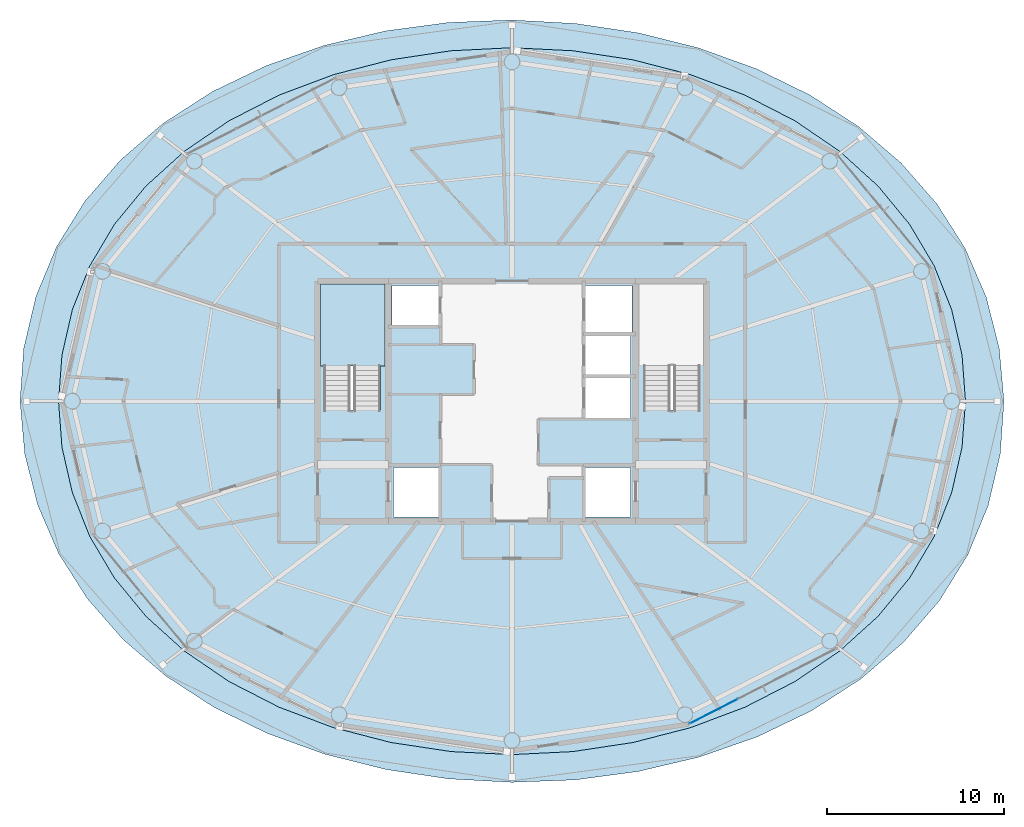
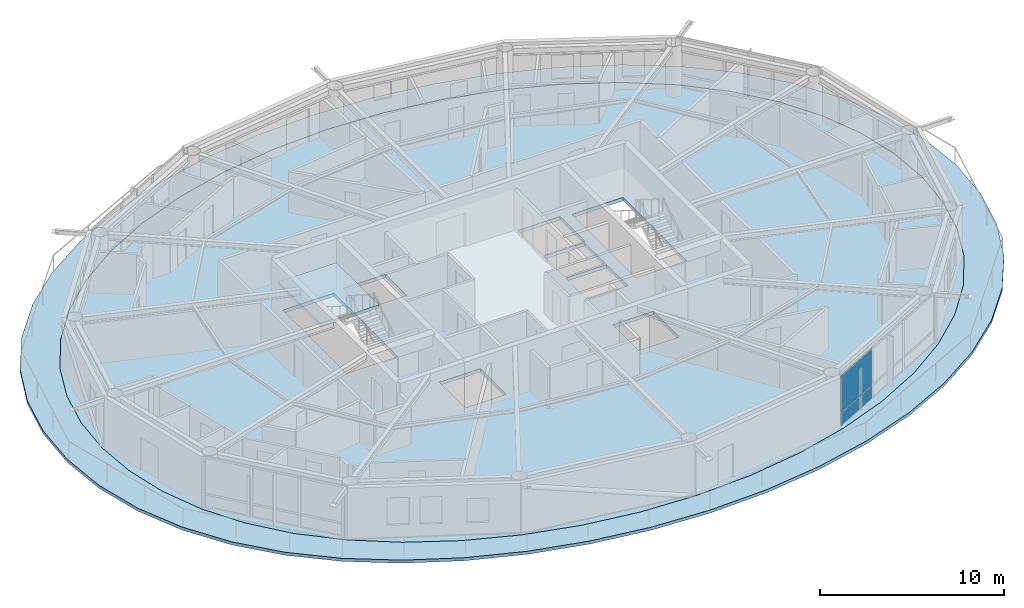
# One storey, part 13 of 22: 3 slabs, 2 plates, 2 elements without a shape of their own.
"""IFC4 building model written with IfcOpenShell, lengths in metres."""

from ifc_helpers import new_model, si_unit, direction, frame, origin, origin_2d, place, context, subcontext, project, spatial, polyline, rectangle, outline, extrude, material, layer, layer_set, type_object, element, aggregate, save


model = new_model("IFC4")

# Units and contexts
model_context = context("Model", 3, precision=1e-05, world=origin(), true_north=direction((0.0, 1.0)))
body_context = subcontext(model_context, "Body", "Model", "MODEL_VIEW")
ifc_project = project(units=[si_unit("LENGTHUNIT", "METRE"), si_unit("AREAUNIT", "SQUARE_METRE"), si_unit("VOLUMEUNIT", "CUBIC_METRE"), si_unit("PLANEANGLEUNIT", "RADIAN"), si_unit("MASSUNIT", "GRAM", prefix="KILO")], contexts=[model_context])

# Site, building, storey
site_placement = place(None, origin())
site = spatial("IfcSite", under=ifc_project, at=site_placement, CompositionType="ELEMENT")
building_placement = place(site_placement, origin())
building = spatial("IfcBuilding", under=site, at=building_placement, Name="Sarneth Arch Tower", CompositionType="ELEMENT")
storey_placement = place(building_placement, frame((0.0, 0.0, 291.0)))
storey = spatial("IfcBuildingStorey", under=building, at=storey_placement, Name="L75", CompositionType="ELEMENT", Elevation=291.0)

# Curtain wall, plates
ifc_material_1 = material(Name="Anodised aluminium Type AA25 and solar-control low-e laminated IGU", Category="aluminium")
ifc_layer_1 = layer(ifc_material_1, 0.179931640625)
ifc_layer_set_1 = layer_set([ifc_layer_1], Name="Anodised aluminium Type AA25 and solar-control low-e laminated IGU")
curtain_wall_type = type_object("IfcCurtainWallType", Name="CW-RES-HIGH", PredefinedType="NOTDEFINED", material=ifc_layer_set_1)
curtain_wall_placement = place(storey_placement, origin())
curtain_wall = element("IfcCurtainWall", 1, at=curtain_wall_placement, inside=storey, type_object=curtain_wall_type, Name="L75 Unitised curtain wall facet 14", PredefinedType="NOTDEFINED")
ifc_material_2 = material(Name="Solar-control low-e laminated IGU", Category="glass")
ifc_layer_2 = layer(ifc_material_2, 0.028076171875)
ifc_layer_set_2 = layer_set([ifc_layer_2], Name="Solar-control low-e laminated IGU")
plate_type = type_object("IfcPlateType", Name="CW-PANEL", PredefinedType="CURTAIN_PANEL", material=ifc_layer_set_2)
plate_1_placement = place(storey_placement, frame((59.4208984375, 24.447021484375, 0.06005859375), z_axis=(0.0, 0.0, 1.0), x_axis=(0.890009540525, 0.455941901753, 0.0)))
plate_1 = element("IfcPlate", 2, at=plate_1_placement, type_object=plate_type, Name="Curtain wall glazed vision pane CW-L75-F14/P00-00", PredefinedType="CURTAIN_PANEL", context=body_context, shape_type="SweptSolid", body=[
    extrude(rectangle(XDim=3.044677734375, YDim=0.028076171875, at=origin_2d()), origin(), (0.0, 0.0, 1.0), 0.81005859375),
])
plate_2_placement = place(storey_placement, frame((59.4208984375, 24.447021484375, 0.93017578125), z_axis=(0.0, 0.0, 1.0), x_axis=(0.890009540525, 0.455941901753, 0.0)))
plate_2 = element("IfcPlate", 3, at=plate_2_placement, type_object=plate_type, Name="Curtain wall glazed vision pane CW-L75-F14/P00-01", PredefinedType="CURTAIN_PANEL", context=body_context, shape_type="SweptSolid", body=[
    extrude(rectangle(XDim=3.044677734375, YDim=0.028076171875, at=origin_2d()), origin(), (0.0, 0.0, 1.0), 2.3798828125),
])
aggregate(curtain_wall, [plate_1, plate_2])

# Slab
ifc_material_3 = material(Name="Concrete C50/60", Category="concrete")
ifc_layer_3 = layer(ifc_material_3, 0.199951171875)
ifc_layer_set_3 = layer_set([ifc_layer_3], Name="Concrete C50/60")
slab_type_1 = type_object("IfcSlabType", Name="SLAB-BALC-200", PredefinedType="FLOOR", material=ifc_layer_set_3)
slab_1_placement = place(storey_placement, frame((0.0, 0.0, -0.199951171875)))
element("IfcSlab", 4, at=slab_1_placement, inside=storey, type_object=slab_type_1, Name="L75 Helical balcony band slab", PredefinedType="FLOOR", context=body_context, shape_type="SweptSolid", body=[
    extrude(outline(polyline([(75.84130859375, 42.0), (75.573974609375, 44.987060546875), (74.838134765625, 47.88671875), (73.650146484375, 50.634521484375), (72.030029296875, 53.182373046875), (70.002197265625, 55.49658203125), (67.597412109375, 57.5517578125), (64.855712890625, 59.328369140625), (61.82763671875, 60.810791015625), (58.56982421875, 61.985595703125), (55.141357421875, 62.84228515625), (51.599853515625, 63.37255859375), (48.0, 63.569580078125), (44.39453125, 63.4296875), (40.836669921875, 62.951416015625), (37.38330078125, 62.135498046875), (34.095458984375, 60.987060546875), (31.03662109375, 59.51416015625), (28.26904296875, 57.729248046875), (25.84765625, 55.650146484375), (23.817626953125, 53.30029296875), (22.212646484375, 50.7109375), (21.057373046875, 47.924560546875), (20.369384765625, 44.9970703125), (20.15869140625, 42.0), (20.426025390625, 39.012939453125), (21.161865234375, 36.11328125), (22.349853515625, 33.365478515625), (23.969970703125, 30.817626953125), (25.997802734375, 28.50341796875), (28.402587890625, 26.4482421875), (31.144287109375, 24.671630859375), (34.17236328125, 23.189208984375), (37.43017578125, 22.014404296875), (40.858642578125, 21.15771484375), (44.400146484375, 20.62744140625), (48.0, 20.430419921875), (51.60546875, 20.5703125), (55.163330078125, 21.048583984375), (58.61669921875, 21.864501953125), (61.904541015625, 23.012939453125), (64.96337890625, 24.48583984375), (67.73095703125, 26.270751953125), (70.15234375, 28.349853515625), (72.182373046875, 30.69970703125), (73.787353515625, 33.2890625), (74.942626953125, 36.075439453125), (75.630615234375, 39.0029296875), (75.84130859375, 42.0)]), holes=[polyline([(73.660888671875, 42.0), (73.466064453125, 44.610595703125), (72.87890625, 47.17626953125), (71.892822265625, 49.653564453125), (70.5029296875, 52.0), (68.712158203125, 54.17529296875), (66.536865234375, 56.14208984375), (64.009521484375, 57.8671875), (61.177001953125, 59.320556640625), (58.0966796875, 60.4775390625), (54.83203125, 61.318603515625), (51.44580078125, 61.828857421875), (48.0, 62.0), (44.55419921875, 61.828857421875), (41.16796875, 61.318603515625), (37.9033203125, 60.4775390625), (34.822998046875, 59.320556640625), (31.990478515625, 57.8671875), (29.463134765625, 56.14208984375), (27.287841796875, 54.17529296875), (25.4970703125, 52.0), (24.107177734375, 49.653564453125), (23.12109375, 47.17626953125), (22.533935546875, 44.610595703125), (22.339111328125, 42.0), (22.533935546875, 39.389404296875), (23.12109375, 36.82373046875), (24.107177734375, 34.346435546875), (25.4970703125, 32.0), (27.287841796875, 29.82470703125), (29.463134765625, 27.85791015625), (31.990478515625, 26.1328125), (34.822998046875, 24.679443359375), (37.9033203125, 23.5224609375), (41.16796875, 22.681396484375), (44.55419921875, 22.171142578125), (48.0, 22.0), (51.44580078125, 22.171142578125), (54.83203125, 22.681396484375), (58.0966796875, 23.5224609375), (61.177001953125, 24.679443359375), (64.009521484375, 26.1328125), (66.536865234375, 27.85791015625), (68.712158203125, 29.82470703125), (70.5029296875, 32.0), (71.892822265625, 34.346435546875), (72.87890625, 36.82373046875), (73.466064453125, 39.389404296875), (73.660888671875, 42.0)])]), origin(), (0.0, 0.0, 1.0), 0.199951171875),
])

# Stair, slab
ifc_material_4 = material(Name="Concrete C50/60", Category="concrete")
stair_type = type_object("IfcStairType", Name="STAIR-CORE-RC", PredefinedType="HALF_TURN_STAIR", material=ifc_material_4)
stair_placement = place(storey_placement, origin())
stair = element("IfcStair", 5, at=stair_placement, inside=storey, type_object=stair_type, Name="L75 Core Exit Stair 1", PredefinedType="HALF_TURN_STAIR")
ifc_material_5 = material(Name="Concrete C50/60", Category="concrete")
ifc_layer_4 = layer(ifc_material_5, 0.199951171875)
ifc_layer_set_4 = layer_set([ifc_layer_4], Name="Concrete C50/60")
slab_type_2 = type_object("IfcSlabType", Name="SLAB-LANDING-200", PredefinedType="LANDING", material=ifc_layer_set_4)
slab_2_placement = place(storey_placement, frame((0.0, 0.0, 1.60009765625)))
slab_2 = element("IfcSlab", 6, at=slab_2_placement, type_object=slab_type_2, Name="ST-1 landing 1", PredefinedType="LANDING", context=body_context, shape_type="SweptSolid", body=[
    extrude(outline(polyline([(37.175048828125, 43.985107421875), (40.824951171875, 43.985107421875), (40.824951171875, 48.625), (37.175048828125, 48.625), (37.175048828125, 43.985107421875)])), origin(), (0.0, 0.0, 1.0), 0.199951171875),
])
aggregate(stair, [slab_2])

# Slab
ifc_material_6 = material(Name="Concrete C50/60", Category="concrete")
ifc_layer_5 = layer(ifc_material_6, 0.22998046875)
ifc_layer_set_5 = layer_set([ifc_layer_5], Name="Concrete C50/60")
slab_type_3 = type_object("IfcSlabType", Name="SLAB-TOWER-230", PredefinedType="FLOOR", material=ifc_layer_set_5)
slab_3_placement = place(storey_placement, frame((0.0, 0.0, -0.22998046875)))
element("IfcSlab", 7, at=slab_3_placement, inside=storey, type_object=slab_type_3, Name="L75 Elliptical floor slab", PredefinedType="FLOOR", context=body_context, shape_type="SweptSolid", body=[
    extrude(outline(polyline([(73.660888671875, 42.0), (73.466064453125, 44.610595703125), (72.87890625, 47.17626953125), (71.892822265625, 49.653564453125), (70.5029296875, 52.0), (68.712158203125, 54.17529296875), (66.536865234375, 56.14208984375), (64.009521484375, 57.8671875), (61.177001953125, 59.320556640625), (58.0966796875, 60.4775390625), (54.83203125, 61.318603515625), (51.44580078125, 61.828857421875), (48.0, 62.0), (44.55419921875, 61.828857421875), (41.16796875, 61.318603515625), (37.9033203125, 60.4775390625), (34.822998046875, 59.320556640625), (31.990478515625, 57.8671875), (29.463134765625, 56.14208984375), (27.287841796875, 54.17529296875), (25.4970703125, 52.0), (24.107177734375, 49.653564453125), (23.12109375, 47.17626953125), (22.533935546875, 44.610595703125), (22.339111328125, 42.0), (22.533935546875, 39.389404296875), (23.12109375, 36.82373046875), (24.107177734375, 34.346435546875), (25.4970703125, 32.0), (27.287841796875, 29.82470703125), (29.463134765625, 27.85791015625), (31.990478515625, 26.1328125), (34.822998046875, 24.679443359375), (37.9033203125, 23.5224609375), (41.16796875, 22.681396484375), (44.55419921875, 22.171142578125), (48.0, 22.0), (51.44580078125, 22.171142578125), (54.83203125, 22.681396484375), (58.0966796875, 23.5224609375), (61.177001953125, 24.679443359375), (64.009521484375, 26.1328125), (66.536865234375, 27.85791015625), (68.712158203125, 29.82470703125), (70.5029296875, 32.0), (71.892822265625, 34.346435546875), (72.87890625, 36.82373046875), (73.466064453125, 39.389404296875), (73.660888671875, 42.0)]), holes=[polyline([(37.35009765625, 41.489990234375), (40.550048828125, 41.489990234375), (40.550048828125, 48.39990234375), (37.35009765625, 48.39990234375), (37.35009765625, 41.489990234375)]), polyline([(55.449951171875, 41.489990234375), (58.64990234375, 41.489990234375), (58.64990234375, 48.39990234375), (55.449951171875, 48.39990234375), (55.449951171875, 41.489990234375)]), polyline([(41.199951171875, 46.25), (43.85009765625, 46.25), (43.85009765625, 48.550048828125), (41.199951171875, 48.550048828125), (41.199951171875, 46.25)]), polyline([(41.300048828125, 35.449951171875), (43.85009765625, 35.449951171875), (43.85009765625, 38.25), (41.300048828125, 38.25), (41.300048828125, 35.449951171875)]), polyline([(52.14990234375, 35.449951171875), (54.699951171875, 35.449951171875), (54.699951171875, 38.25), (52.14990234375, 38.25), (52.14990234375, 35.449951171875)]), polyline([(52.14990234375, 45.85009765625), (54.800048828125, 45.85009765625), (54.800048828125, 48.550048828125), (52.14990234375, 48.550048828125), (52.14990234375, 45.85009765625)]), polyline([(52.14990234375, 41.050048828125), (54.699951171875, 41.050048828125), (54.699951171875, 43.35009765625), (52.14990234375, 43.35009765625), (52.14990234375, 41.050048828125)]), polyline([(52.14990234375, 43.5), (54.699951171875, 43.5), (54.699951171875, 45.75), (52.14990234375, 45.75), (52.14990234375, 43.5)])]), origin(), (0.0, 0.0, 1.0), 0.22998046875),
])

save(model, "model.ifc")
